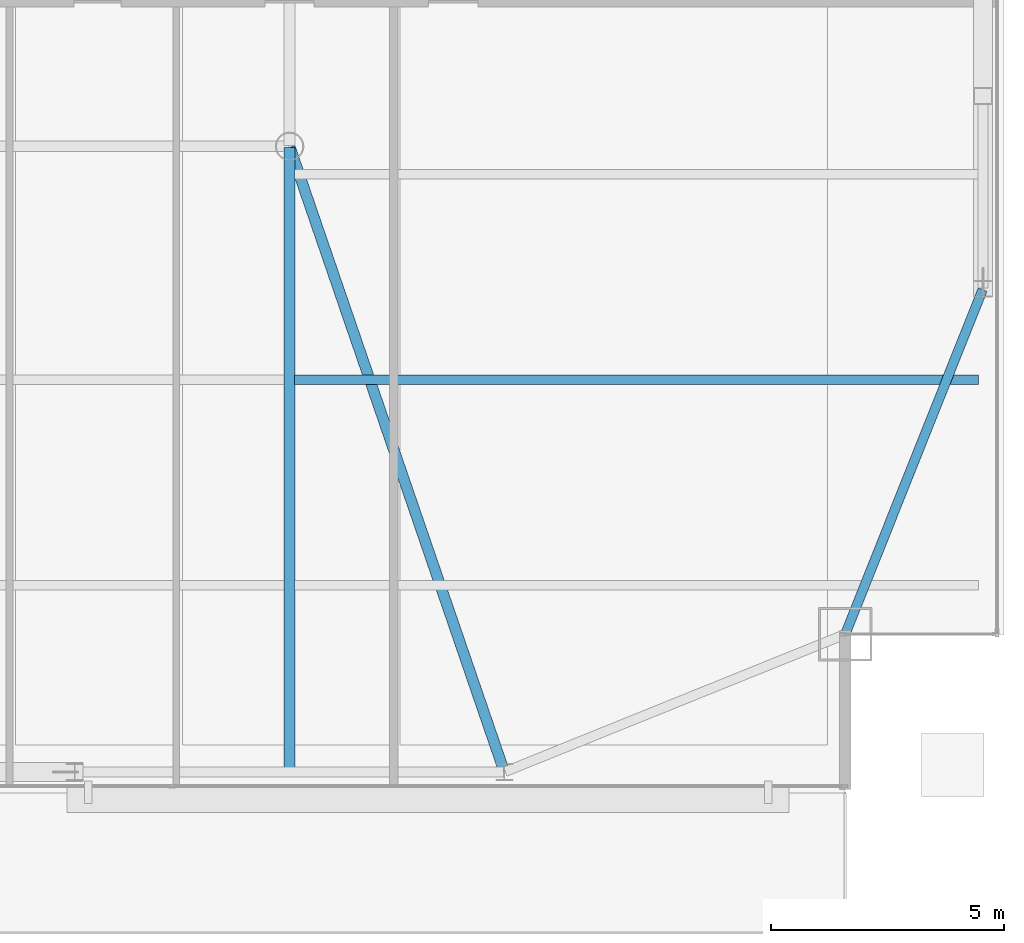
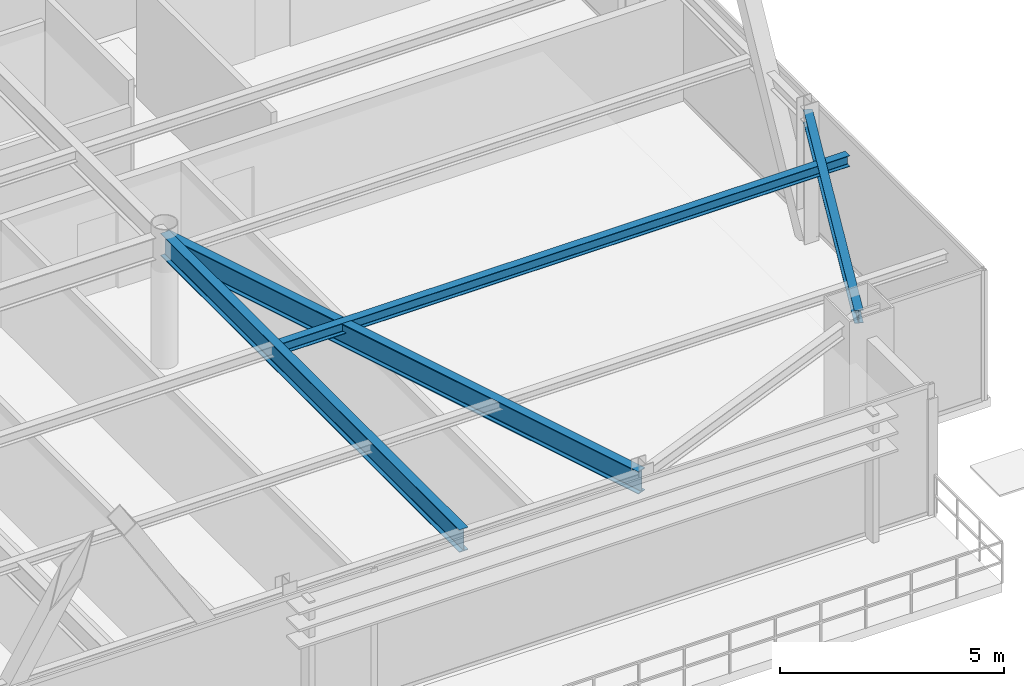
# One storey, part 17 of 33: 4 beams.
"""IFC4 building model written with IfcOpenShell, lengths in metres."""

from ifc_helpers import new_model, si_unit, direction, frame, origin, origin_2d, place, context, subcontext, project, spatial, i_section, extrude, source, transform, mapped, material, material_profile, profile_set, type_object, type_shapes, element, save


model = new_model("IFC4")

# Units and contexts
model_context = context("Model", 3, precision=1e-05, world=origin(), true_north=direction((0.0, 1.0)))
body_context = subcontext(model_context, "Body", "Model", "MODEL_VIEW")
ifc_project = project(units=[si_unit("LENGTHUNIT", "METRE"), si_unit("AREAUNIT", "SQUARE_METRE"), si_unit("VOLUMEUNIT", "CUBIC_METRE"), si_unit("PLANEANGLEUNIT", "RADIAN"), si_unit("MASSUNIT", "GRAM", prefix="KILO")], contexts=[model_context])

# Site, building, storey
site_placement = place(None, origin())
site = spatial("IfcSite", under=ifc_project, at=site_placement, CompositionType="ELEMENT")
building_placement = place(site_placement, origin())
building = spatial("IfcBuilding", under=site, at=building_placement, Name="Varnel Quay Broadcast Tower", CompositionType="ELEMENT")
storey_placement = place(building_placement, frame((0.0, 0.0, 199.800048828125)))
storey = spatial("IfcBuildingStorey", under=building, at=storey_placement, Name="L49", CompositionType="ELEMENT", Elevation=199.800048828125)

# Beams
ifc_material = material(Name="Structural Steel CSA G40.21 350W", Category="steel")
ifc_material_profile_1 = material_profile(ifc_material, i_section(OverallWidth=0.205078125, OverallDepth=0.35400390625, WebThickness=0.009521484375, FlangeThickness=0.016845703125, FilletRadius=0.012939453125, at=origin_2d()), Name="W360X79")
ifc_profile_set_1 = profile_set([ifc_material_profile_1], Name="Structural Steel CSA G40.21 350W")
beam_type_1 = type_object("IfcBeamType", Name="Beam_W360X79", PredefinedType="SPANDREL", material=ifc_profile_set_1)
shared_shape_1 = source(origin(), body_context, "Body", "SweptSolid", [
    extrude(i_section(OverallWidth=0.205078125, OverallDepth=0.35400390625, WebThickness=0.009521484375, FlangeThickness=0.016845703125, FilletRadius=0.012939453125, at=origin_2d()), origin(), (0.0, 0.0, 1.0), 7.92626953125),
])
type_shapes(beam_type_1, [shared_shape_1])
beam_1_placement = place(storey_placement, frame((55.107421875, 13.61865234375, 3.373046875), z_axis=(0.370296431883, 0.928913641053, 0.0), x_axis=(-0.928913641053, 0.370296431883, 0.0)))
element("IfcBeam", 1, at=beam_1_placement, inside=storey, type_object=beam_type_1, Name="L49 East Spandrel MC-SE-TC-E1", PredefinedType="SPANDREL", context=body_context, shape_type="MappedRepresentation", body=[
    mapped(shared_shape_1, transform((0.0, 0.0, 0.0), x_axis=(1.0, 0.0, 0.0), y_axis=(0.0, 1.0, 0.0), z_axis=(0.0, 0.0, 1.0), scale=1.0)),
])
ifc_material_profile_2 = material_profile(ifc_material, i_section(OverallWidth=0.22998046875, OverallDepth=0.616943359375, WebThickness=0.01318359375, FlangeThickness=0.022216796875, FilletRadius=0.01611328125, at=origin_2d()), Name="W610X140")
ifc_profile_set_2 = profile_set([ifc_material_profile_2], Name="Structural Steel CSA G40.21 350W")
beam_type_2 = type_object("IfcBeamType", Name="Girder_W610X140", PredefinedType="BEAM", material=ifc_profile_set_2)
shared_shape_2 = source(origin(), body_context, "Body", "SweptSolid", [
    extrude(i_section(OverallWidth=0.22998046875, OverallDepth=0.616943359375, WebThickness=0.01318359375, FlangeThickness=0.022216796875, FilletRadius=0.01611328125, at=origin_2d()), origin(), (0.0, 0.0, 1.0), 14.12744140625),
])
beam_2_placement = place(storey_placement, frame((47.79345703125, 10.6689453125, 3.241455078125), z_axis=(-0.324681288447, 0.945823482967, 0.0), x_axis=(-0.945823482967, -0.324681288447, 0.0)))
element("IfcBeam", 2, at=beam_2_placement, inside=storey, type_object=beam_type_2, Name="L49 Primary Girder TC-S4-IC-02", PredefinedType="BEAM", context=body_context, shape_type="MappedRepresentation", body=[
    mapped(shared_shape_2, transform((0.0, 0.0, 0.0), x_axis=(1.0, 0.0, 0.0), y_axis=(0.0, 1.0, 0.0), z_axis=(0.0, 0.0, 1.0), scale=1.0)),
])
shared_shape_3 = source(origin(), body_context, "Body", "SweptSolid", [
    extrude(i_section(OverallWidth=0.22998046875, OverallDepth=0.616943359375, WebThickness=0.01318359375, FlangeThickness=0.022216796875, FilletRadius=0.01611328125, at=origin_2d()), origin(), (0.0, 0.0, 1.0), 13.360107421875),
])
type_shapes(beam_type_2, [shared_shape_2, shared_shape_3])
beam_3_placement = place(storey_placement, frame((43.199951171875, 10.669921875, 3.241455078125), z_axis=(0.0, 1.0, 0.0), x_axis=(-1.0, 0.0, 0.0)))
element("IfcBeam", 3, at=beam_3_placement, inside=storey, type_object=beam_type_2, Name="L49 N-S Joist Header IC-02S", PredefinedType="BEAM", context=body_context, shape_type="MappedRepresentation", body=[
    mapped(shared_shape_3, transform((0.0, 0.0, 0.0), x_axis=(1.0, 0.0, 0.0), y_axis=(0.0, 1.0, 0.0), z_axis=(0.0, 0.0, 1.0), scale=1.0)),
])
ifc_material_profile_3 = material_profile(ifc_material, i_section(OverallWidth=0.202880859375, OverallDepth=0.302978515625, WebThickness=0.007568359375, FlangeThickness=0.01318359375, FilletRadius=0.011962890625, at=origin_2d()), Name="W310X60")
ifc_profile_set_3 = profile_set([ifc_material_profile_3], Name="Structural Steel CSA G40.21 350W")
beam_type_3 = type_object("IfcBeamType", Name="Beam_W310X60", PredefinedType="JOIST", material=ifc_profile_set_3)
shared_shape_4 = source(origin(), body_context, "Body", "SweptSolid", [
    extrude(i_section(OverallWidth=0.202880859375, OverallDepth=0.302978515625, WebThickness=0.007568359375, FlangeThickness=0.01318359375, FilletRadius=0.011962890625, at=origin_2d()), origin(), (0.0, 0.0, 1.0), 14.642333984375),
])
type_shapes(beam_type_3, [shared_shape_4])
beam_4_placement = place(storey_placement, frame((43.31005859375, 19.050048828125, 3.3984375), z_axis=(1.0, 0.0, 0.0), x_axis=(0.0, 1.0, 0.0)))
element("IfcBeam", 4, at=beam_4_placement, inside=storey, type_object=beam_type_3, Name="L49 East Floor Joist 2", PredefinedType="JOIST", context=body_context, shape_type="MappedRepresentation", body=[
    mapped(shared_shape_4, transform((0.0, 0.0, 0.0), x_axis=(1.0, 0.0, 0.0), y_axis=(0.0, 1.0, 0.0), z_axis=(0.0, 0.0, 1.0), scale=1.0)),
])

save(model, "model.ifc")
